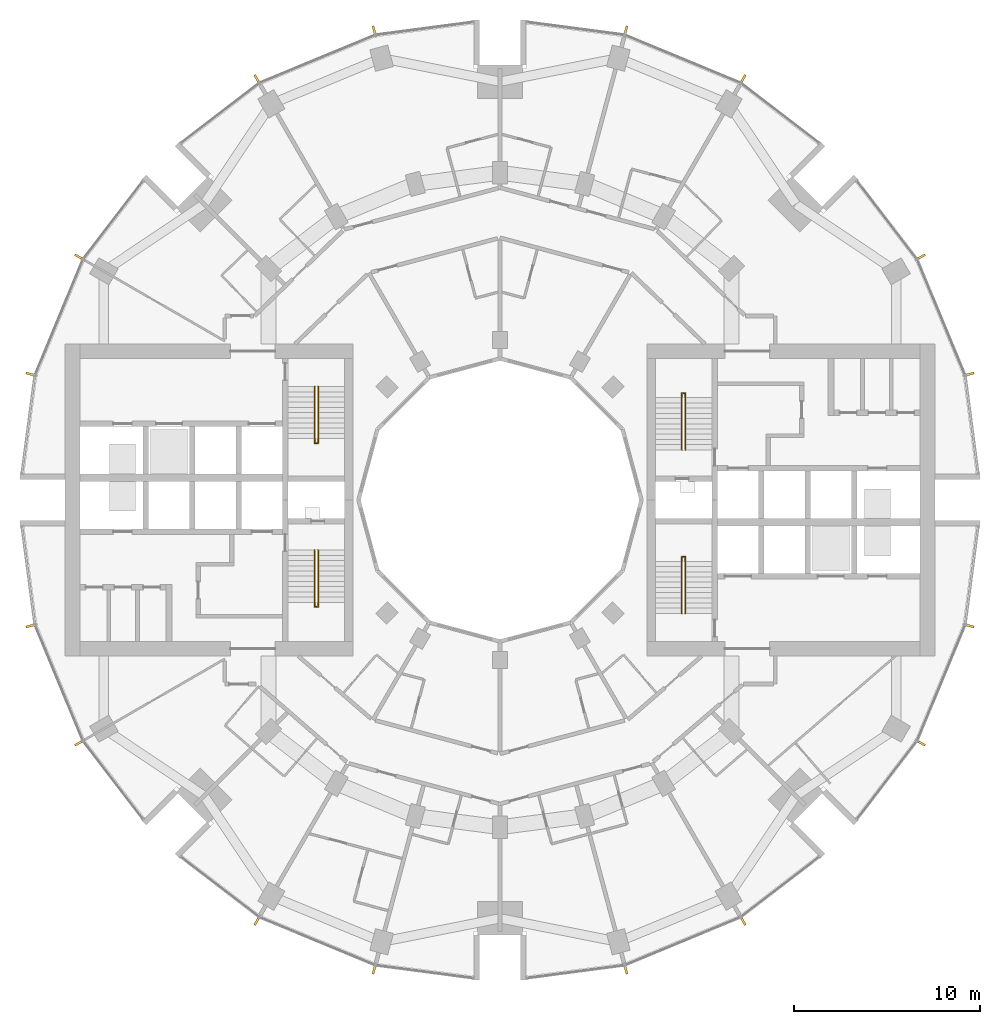
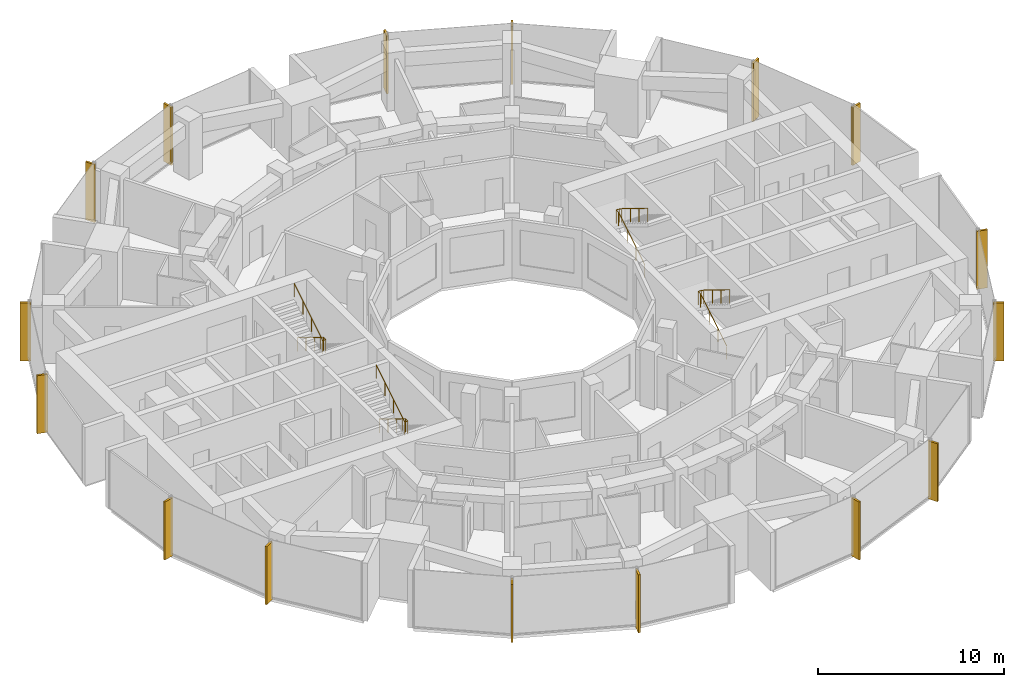
# One storey, part 14 of 15: 16 shading devices, 4 railings.
"""IFC4 building model written with IfcOpenShell, lengths in metres."""

from ifc_helpers import new_model, si_unit, direction, frame, origin, origin_2d, place, context, subcontext, project, spatial, rectangle, circle, extrude, material, material_profile, profile_set, type_object, element, save


model = new_model("IFC4")

# Units and contexts
model_context = context("Model", 3, precision=1e-05, world=origin(), true_north=direction((0.0, 1.0)))
body_context = subcontext(model_context, "Body", "Model", "MODEL_VIEW")
ifc_project = project(units=[si_unit("LENGTHUNIT", "METRE"), si_unit("AREAUNIT", "SQUARE_METRE"), si_unit("VOLUMEUNIT", "CUBIC_METRE"), si_unit("PLANEANGLEUNIT", "RADIAN"), si_unit("MASSUNIT", "GRAM", prefix="KILO")], contexts=[model_context])

# Site, building, storey
site_placement = place(None, origin())
site = spatial("IfcSite", under=ifc_project, at=site_placement, CompositionType="ELEMENT")
building_placement = place(site_placement, origin())
building = spatial("IfcBuilding", under=site, at=building_placement, Name="Torre Brocal", CompositionType="ELEMENT")
storey_placement = place(building_placement, frame((0.0, 0.0, 59.199951171875)))
storey = spatial("IfcBuildingStorey", under=building, at=storey_placement, Name="L13", CompositionType="ELEMENT", Elevation=59.199951171875)

# Shading devices
ifc_material_1 = material(Name="Aluminium, black anodised", Category="aluminium")
ifc_material_profile = material_profile(ifc_material_1, rectangle(XDim=0.1201171875, YDim=0.60009765625, at=origin_2d()), Name="FIN 120X600 3800 HIGH")
ifc_profile_set = profile_set([ifc_material_profile], Name="Aluminium, black anodised")
shading_device_type = type_object("IfcShadingDeviceType", Name="FIN 120X600 3800 HIGH", PredefinedType="USERDEFINED", material=ifc_profile_set)
for number, where, z_axis, x_axis, name in (
    (1, (105.208984375, 81.754638671875, -0.14990234375), (0.0, 0.0, 1.0), (-0.258819045103, 0.965925826289, 0.0), "FIN"),
    (2, (102.601806640625, 88.049072265625, -0.14990234375), (0.0, 0.0, 1.0), (-0.5, 0.866025403784, 0.0), "FIN"),
    (3, (93.049072265625, 97.601806640625, -0.14990234375), (0.0, 0.0, 1.0), (-0.866025403784, 0.5, 0.0), "FIN"),
    (4, (86.754638671875, 100.208984375, -0.14990234375), (0.0, 0.0, 1.0), (-0.965925826289, 0.258819045103, 0.0), "FIN"),
    (5, (73.245361328125, 100.208984375, -0.14990234375), (0.0, 0.0, 1.0), (-0.965925826289, -0.258819045103, 0.0), "FIN"),
    (6, (66.950927734375, 97.601806640625, -0.14990234375), (0.0, 0.0, 1.0), (-0.866025403784, -0.5, 0.0), "FIN"),
    (7, (57.398193359375, 88.049072265625, -0.14990234375), (0.0, 0.0, 1.0), (-0.5, -0.866025403784, 0.0), "FIN"),
    (8, (54.791015625, 81.754638671875, -0.14990234375), (0.0, 0.0, 1.0), (-0.258819045103, -0.965925826289, 0.0), "FIN"),
    (9, (54.791015625, 68.245361328125, -0.14990234375), (0.0, 0.0, 1.0), (0.258819045103, -0.965925826289, 0.0), "FIN"),
    (10, (57.398193359375, 61.950927734375, -0.14990234375), (0.0, 0.0, 1.0), (0.5, -0.866025403784, 0.0), "FIN"),
    (11, (66.950927734375, 52.398193359375, -0.14990234375), (0.0, 0.0, 1.0), (0.866025403784, -0.5, 0.0), "FIN"),
    (12, (73.245361328125, 49.791015625, -0.14990234375), (0.0, 0.0, 1.0), (0.965925826289, -0.258819045103, 0.0), "FIN"),
    (13, (86.754638671875, 49.791015625, -0.14990234375), (0.0, 0.0, 1.0), (0.965925826289, 0.258819045103, 0.0), "FIN"),
    (14, (93.049072265625, 52.398193359375, -0.14990234375), (0.0, 0.0, 1.0), (0.866025403784, 0.5, 0.0), "FIN"),
    (15, (102.601806640625, 61.950927734375, -0.14990234375), (0.0, 0.0, 1.0), (0.5, 0.866025403784, 0.0), "FIN"),
    (16, (105.208984375, 68.245361328125, -0.14990234375), (0.0, 0.0, 1.0), (0.258819045103, 0.965925826289, 0.0), "FIN"),
):
    element("IfcShadingDevice", number, at=place(storey_placement, frame(where, z_axis=z_axis, x_axis=x_axis)), inside=storey, type_object=shading_device_type, Name=name, ObjectType="FIN", PredefinedType="USERDEFINED", context=body_context, shape_type="SweptSolid", body=[
        extrude(rectangle(XDim=0.1201171875, YDim=0.60009765625, at=origin_2d()), origin(), (0.0, 0.0, 1.0), 3.800048828125),
    ])

# Railings
ifc_material_2 = material(Name="Stainless steel AISI 316", Category="steel")
railing_type = type_object("IfcRailingType", Name="STAIR HANDRAIL", PredefinedType="HANDRAIL", material=ifc_material_2)
railing_1_placement = place(storey_placement, frame((89.780029296875, 77.699951171875, 0.1728515625)))
element("IfcRailing", 17, at=railing_1_placement, inside=storey, type_object=railing_type, Name="HANDRAIL ST1", PredefinedType="HANDRAIL", context=body_context, shape_type="SweptSolid", body=[
    extrude(circle(Radius=0.02392578125, at=origin_2d()), frame((0.0, 0.0, 0.8759765625), z_axis=(0.0, 0.851089632645, 0.525020415988), x_axis=(-1.0, 0.0, 0.0)), (0.0, 0.0, 1.0), 3.2900390625),
    extrude(circle(Radius=0.02392578125, at=origin_2d()), frame((0.0, 2.800048828125, 2.60302734375), z_axis=(0.0, 1.0, 0.0), x_axis=(-1.0, 0.0, 0.0)), (0.0, 0.0, 1.0), 0.25),
    extrude(circle(Radius=0.02392578125, at=origin_2d()), frame((0.0, 3.050048828125, 2.60302734375), z_axis=(1.0, 0.0, 0.0), x_axis=(0.0, 1.0, 0.0)), (0.0, 0.0, 1.0), 0.18994140625),
    extrude(circle(Radius=0.02392578125, at=origin_2d()), frame((0.18994140625, 3.050048828125, 2.60302734375), z_axis=(0.0, -0.822914792866, 0.568164803277), x_axis=(1.0, 0.0, 0.0)), (0.0, 0.0, 1.0), 0.3037109375),
    extrude(circle(Radius=0.02392578125, at=origin_2d()), frame((0.18994140625, 2.800048828125, 2.77587890625), z_axis=(0.0, -0.851089632645, 0.525020415988), x_axis=(1.0, 0.0, 0.0)), (0.0, 0.0, 1.0), 3.2900390625),
    extrude(circle(Radius=0.02099609375, at=origin_2d()), origin(), (0.0, 0.0, 1.0), 0.851806640625),
    extrude(circle(Radius=0.02099609375, at=origin_2d()), frame((0.0, 0.933349609375, 0.57568359375)), (0.0, 0.0, 1.0), 0.851806640625),
    extrude(circle(Radius=0.02099609375, at=origin_2d()), frame((0.0, 1.86669921875, 1.151611328125)), (0.0, 0.0, 1.0), 0.851806640625),
    extrude(circle(Radius=0.02099609375, at=origin_2d()), frame((0.0, 2.800048828125, 1.727294921875)), (0.0, 0.0, 1.0), 0.851806640625),
    extrude(circle(Radius=0.02099609375, at=origin_2d()), frame((0.0, 3.050048828125, 1.727294921875)), (0.0, 0.0, 1.0), 0.851806640625),
    extrude(circle(Radius=0.02099609375, at=origin_2d()), frame((0.18994140625, 3.050048828125, 1.727294921875)), (0.0, 0.0, 1.0), 0.851806640625),
    extrude(circle(Radius=0.02099609375, at=origin_2d()), frame((0.18994140625, 2.800048828125, 1.89990234375)), (0.0, 0.0, 1.0), 0.851806640625),
    extrude(circle(Radius=0.02099609375, at=origin_2d()), frame((0.18994140625, 1.86669921875, 2.4755859375)), (0.0, 0.0, 1.0), 0.851806640625),
    extrude(circle(Radius=0.02099609375, at=origin_2d()), frame((0.18994140625, 0.933349609375, 3.051513671875)), (0.0, 0.0, 1.0), 0.851806640625),
    extrude(circle(Radius=0.02099609375, at=origin_2d()), frame((0.18994140625, 0.0, 3.627197265625)), (0.0, 0.0, 1.0), 0.851806640625),
])
railing_2_placement = place(storey_placement, frame((89.780029296875, 68.89990234375, 0.1728515625)))
element("IfcRailing", 18, at=railing_2_placement, inside=storey, type_object=railing_type, Name="HANDRAIL ST2", PredefinedType="HANDRAIL", context=body_context, shape_type="SweptSolid", body=[
    extrude(circle(Radius=0.02392578125, at=origin_2d()), frame((0.0, 0.0, 0.8759765625), z_axis=(0.0, 0.851089632645, 0.525020415988), x_axis=(-1.0, 0.0, 0.0)), (0.0, 0.0, 1.0), 3.2900390625),
    extrude(circle(Radius=0.02392578125, at=origin_2d()), frame((0.0, 2.800048828125, 2.60302734375), z_axis=(0.0, 1.0, 0.0), x_axis=(-1.0, 0.0, 0.0)), (0.0, 0.0, 1.0), 0.25),
    extrude(circle(Radius=0.02392578125, at=origin_2d()), frame((0.0, 3.050048828125, 2.60302734375), z_axis=(1.0, 0.0, 0.0), x_axis=(0.0, 1.0, 0.0)), (0.0, 0.0, 1.0), 0.18994140625),
    extrude(circle(Radius=0.02392578125, at=origin_2d()), frame((0.18994140625, 3.050048828125, 2.60302734375), z_axis=(0.0, -0.822914792866, 0.568164803277), x_axis=(1.0, 0.0, 0.0)), (0.0, 0.0, 1.0), 0.3037109375),
    extrude(circle(Radius=0.02392578125, at=origin_2d()), frame((0.18994140625, 2.800048828125, 2.77587890625), z_axis=(0.0, -0.851089632645, 0.525020415988), x_axis=(1.0, 0.0, 0.0)), (0.0, 0.0, 1.0), 3.2900390625),
    extrude(circle(Radius=0.02099609375, at=origin_2d()), origin(), (0.0, 0.0, 1.0), 0.851806640625),
    extrude(circle(Radius=0.02099609375, at=origin_2d()), frame((0.0, 0.933349609375, 0.57568359375)), (0.0, 0.0, 1.0), 0.851806640625),
    extrude(circle(Radius=0.02099609375, at=origin_2d()), frame((0.0, 1.86669921875, 1.151611328125)), (0.0, 0.0, 1.0), 0.851806640625),
    extrude(circle(Radius=0.02099609375, at=origin_2d()), frame((0.0, 2.800048828125, 1.727294921875)), (0.0, 0.0, 1.0), 0.851806640625),
    extrude(circle(Radius=0.02099609375, at=origin_2d()), frame((0.0, 3.050048828125, 1.727294921875)), (0.0, 0.0, 1.0), 0.851806640625),
    extrude(circle(Radius=0.02099609375, at=origin_2d()), frame((0.18994140625, 3.050048828125, 1.727294921875)), (0.0, 0.0, 1.0), 0.851806640625),
    extrude(circle(Radius=0.02099609375, at=origin_2d()), frame((0.18994140625, 2.800048828125, 1.89990234375)), (0.0, 0.0, 1.0), 0.851806640625),
    extrude(circle(Radius=0.02099609375, at=origin_2d()), frame((0.18994140625, 1.86669921875, 2.4755859375)), (0.0, 0.0, 1.0), 0.851806640625),
    extrude(circle(Radius=0.02099609375, at=origin_2d()), frame((0.18994140625, 0.933349609375, 3.051513671875)), (0.0, 0.0, 1.0), 0.851806640625),
    extrude(circle(Radius=0.02099609375, at=origin_2d()), frame((0.18994140625, 0.0, 3.627197265625)), (0.0, 0.0, 1.0), 0.851806640625),
])
railing_3_placement = place(storey_placement, frame((70.219970703125, 72.300048828125, 0.1728515625)))
element("IfcRailing", 19, at=railing_3_placement, inside=storey, type_object=railing_type, Name="HANDRAIL ST3", PredefinedType="HANDRAIL", context=body_context, shape_type="SweptSolid", body=[
    extrude(circle(Radius=0.02392578125, at=origin_2d()), frame((0.0, 0.0, 0.8759765625), z_axis=(0.0, -0.851089632645, 0.525020415988), x_axis=(1.0, 0.0, 0.0)), (0.0, 0.0, 1.0), 3.2900390625),
    extrude(circle(Radius=0.02392578125, at=origin_2d()), frame((0.0, -2.800048828125, 2.60302734375), z_axis=(0.0, -1.0, 0.0), x_axis=(1.0, 0.0, 0.0)), (0.0, 0.0, 1.0), 0.25),
    extrude(circle(Radius=0.02392578125, at=origin_2d()), frame((0.0, -3.050048828125, 2.60302734375), z_axis=(-1.0, 0.0, 0.0), x_axis=(0.0, -1.0, 0.0)), (0.0, 0.0, 1.0), 0.18994140625),
    extrude(circle(Radius=0.02392578125, at=origin_2d()), frame((-0.18994140625, -3.050048828125, 2.60302734375), z_axis=(0.0, 0.822914792866, 0.568164803277), x_axis=(-1.0, 0.0, 0.0)), (0.0, 0.0, 1.0), 0.3037109375),
    extrude(circle(Radius=0.02392578125, at=origin_2d()), frame((-0.18994140625, -2.800048828125, 2.77587890625), z_axis=(0.0, 0.851089632645, 0.525020415988), x_axis=(-1.0, 0.0, 0.0)), (0.0, 0.0, 1.0), 3.2900390625),
    extrude(circle(Radius=0.02099609375, at=origin_2d()), origin(), (0.0, 0.0, 1.0), 0.851806640625),
    extrude(circle(Radius=0.02099609375, at=origin_2d()), frame((0.0, -0.933349609375, 0.57568359375)), (0.0, 0.0, 1.0), 0.851806640625),
    extrude(circle(Radius=0.02099609375, at=origin_2d()), frame((0.0, -1.86669921875, 1.151611328125)), (0.0, 0.0, 1.0), 0.851806640625),
    extrude(circle(Radius=0.02099609375, at=origin_2d()), frame((0.0, -2.800048828125, 1.727294921875)), (0.0, 0.0, 1.0), 0.851806640625),
    extrude(circle(Radius=0.02099609375, at=origin_2d()), frame((0.0, -3.050048828125, 1.727294921875)), (0.0, 0.0, 1.0), 0.851806640625),
    extrude(circle(Radius=0.02099609375, at=origin_2d()), frame((-0.18994140625, -3.050048828125, 1.727294921875)), (0.0, 0.0, 1.0), 0.851806640625),
    extrude(circle(Radius=0.02099609375, at=origin_2d()), frame((-0.18994140625, -2.800048828125, 1.89990234375)), (0.0, 0.0, 1.0), 0.851806640625),
    extrude(circle(Radius=0.02099609375, at=origin_2d()), frame((-0.18994140625, -1.86669921875, 2.4755859375)), (0.0, 0.0, 1.0), 0.851806640625),
    extrude(circle(Radius=0.02099609375, at=origin_2d()), frame((-0.18994140625, -0.933349609375, 3.051513671875)), (0.0, 0.0, 1.0), 0.851806640625),
    extrude(circle(Radius=0.02099609375, at=origin_2d()), frame((-0.18994140625, 0.0, 3.627197265625)), (0.0, 0.0, 1.0), 0.851806640625),
])
railing_4_placement = place(storey_placement, frame((70.219970703125, 81.10009765625, 0.1728515625)))
element("IfcRailing", 20, at=railing_4_placement, inside=storey, type_object=railing_type, Name="HANDRAIL ST4", PredefinedType="HANDRAIL", context=body_context, shape_type="SweptSolid", body=[
    extrude(circle(Radius=0.02392578125, at=origin_2d()), frame((0.0, 0.0, 0.8759765625), z_axis=(0.0, -0.851089632645, 0.525020415988), x_axis=(1.0, 0.0, 0.0)), (0.0, 0.0, 1.0), 3.2900390625),
    extrude(circle(Radius=0.02392578125, at=origin_2d()), frame((0.0, -2.800048828125, 2.60302734375), z_axis=(0.0, -1.0, 0.0), x_axis=(1.0, 0.0, 0.0)), (0.0, 0.0, 1.0), 0.25),
    extrude(circle(Radius=0.02392578125, at=origin_2d()), frame((0.0, -3.050048828125, 2.60302734375), z_axis=(-1.0, 0.0, 0.0), x_axis=(0.0, -1.0, 0.0)), (0.0, 0.0, 1.0), 0.18994140625),
    extrude(circle(Radius=0.02392578125, at=origin_2d()), frame((-0.18994140625, -3.050048828125, 2.60302734375), z_axis=(0.0, 0.822914792866, 0.568164803277), x_axis=(-1.0, 0.0, 0.0)), (0.0, 0.0, 1.0), 0.3037109375),
    extrude(circle(Radius=0.02392578125, at=origin_2d()), frame((-0.18994140625, -2.800048828125, 2.77587890625), z_axis=(0.0, 0.851089632645, 0.525020415988), x_axis=(-1.0, 0.0, 0.0)), (0.0, 0.0, 1.0), 3.2900390625),
    extrude(circle(Radius=0.02099609375, at=origin_2d()), origin(), (0.0, 0.0, 1.0), 0.851806640625),
    extrude(circle(Radius=0.02099609375, at=origin_2d()), frame((0.0, -0.933349609375, 0.57568359375)), (0.0, 0.0, 1.0), 0.851806640625),
    extrude(circle(Radius=0.02099609375, at=origin_2d()), frame((0.0, -1.86669921875, 1.151611328125)), (0.0, 0.0, 1.0), 0.851806640625),
    extrude(circle(Radius=0.02099609375, at=origin_2d()), frame((0.0, -2.800048828125, 1.727294921875)), (0.0, 0.0, 1.0), 0.851806640625),
    extrude(circle(Radius=0.02099609375, at=origin_2d()), frame((0.0, -3.050048828125, 1.727294921875)), (0.0, 0.0, 1.0), 0.851806640625),
    extrude(circle(Radius=0.02099609375, at=origin_2d()), frame((-0.18994140625, -3.050048828125, 1.727294921875)), (0.0, 0.0, 1.0), 0.851806640625),
    extrude(circle(Radius=0.02099609375, at=origin_2d()), frame((-0.18994140625, -2.800048828125, 1.89990234375)), (0.0, 0.0, 1.0), 0.851806640625),
    extrude(circle(Radius=0.02099609375, at=origin_2d()), frame((-0.18994140625, -1.86669921875, 2.4755859375)), (0.0, 0.0, 1.0), 0.851806640625),
    extrude(circle(Radius=0.02099609375, at=origin_2d()), frame((-0.18994140625, -0.933349609375, 3.051513671875)), (0.0, 0.0, 1.0), 0.851806640625),
    extrude(circle(Radius=0.02099609375, at=origin_2d()), frame((-0.18994140625, 0.0, 3.627197265625)), (0.0, 0.0, 1.0), 0.851806640625),
])

save(model, "model.ifc")
